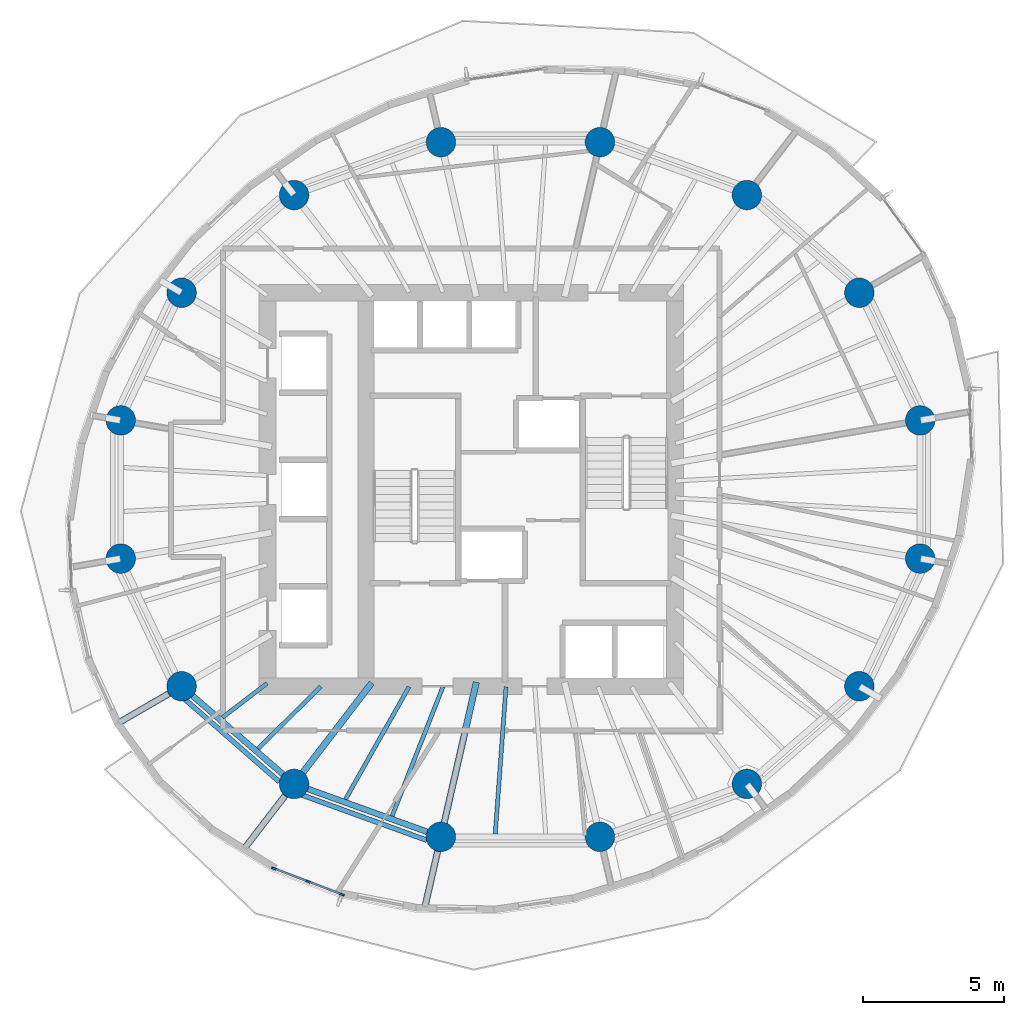
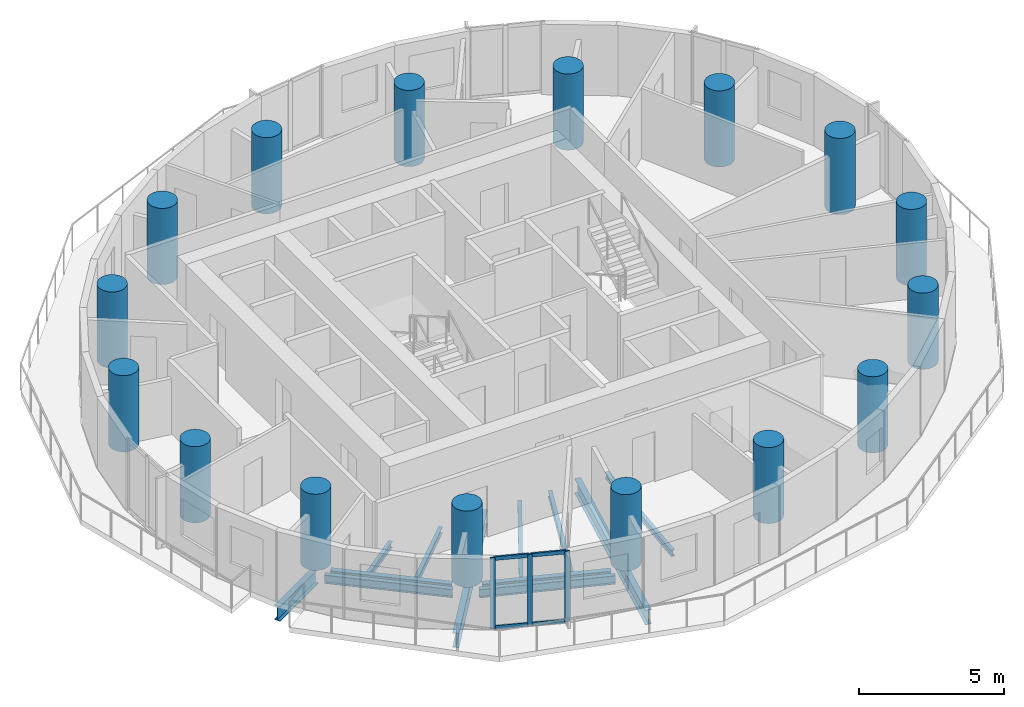
# One storey, part 1 of 14: 16 columns, 14 beams, 7 members, 1 element without a shape of its own.
"""IFC4 building model written with IfcOpenShell, lengths in metres."""

from ifc_helpers import new_model, si_unit, direction, frame, origin, origin_2d, place, context, subcontext, project, spatial, rectangle, circle, i_section, extrude, material, material_profile, profile_set, type_object, element, aggregate, save


model = new_model("IFC4")

# Units and contexts
model_context = context("Model", 3, precision=1e-05, world=origin(), true_north=direction((0.0, 1.0)))
body_context = subcontext(model_context, "Body", "Model", "MODEL_VIEW")
ifc_project = project(units=[si_unit("LENGTHUNIT", "METRE"), si_unit("AREAUNIT", "SQUARE_METRE"), si_unit("VOLUMEUNIT", "CUBIC_METRE"), si_unit("PLANEANGLEUNIT", "RADIAN"), si_unit("MASSUNIT", "GRAM", prefix="KILO")], contexts=[model_context])

# Site, building, storey
site_placement = place(None, origin())
site = spatial("IfcSite", under=ifc_project, at=site_placement, CompositionType="ELEMENT")
building_placement = place(site_placement, origin())
building = spatial("IfcBuilding", under=site, at=building_placement, Name="Veldorim Arch Residences", CompositionType="ELEMENT")
storey_placement = place(building_placement, frame((0.0, 0.0, 126.56005859375)))
storey = spatial("IfcBuildingStorey", under=building, at=storey_placement, Name="L37", CompositionType="ELEMENT", Elevation=126.56005859375)

# Columns
ifc_material_1 = material(Name="Concrete C50/60", Category="concrete")
ifc_material_profile_1 = material_profile(ifc_material_1, circle(Radius=0.52490234375, at=origin_2d()), Name="RC_CIRC_1050")
ifc_profile_set_1 = profile_set([ifc_material_profile_1], Name="Concrete C50/60")
column_type = type_object("IfcColumnType", Name="Structural Column RC_CIRC_1050", PredefinedType="COLUMN", material=ifc_profile_set_1)
for number, where, z_axis, x_axis, name in (
    (1, (46.221435546875, 26.4580078125, 0.0), (0.0, 0.0, 1.0), (1.0, 0.0, 0.0), "L37 TC-Z3-01 perimeter column"),
    (2, (44.056396484375, 31.000244140625, 0.0), (0.0, 0.0, 1.0), (1.0, 0.0, 0.0), "L37 TC-Z3-02 perimeter column"),
    (3, (40.055908203125, 34.4765625, 0.0), (0.0, 0.0, 1.0), (1.0, 0.0, 0.0), "L37 TC-Z3-03 perimeter column"),
    (4, (34.828857421875, 36.35791015625, 0.0), (0.0, 0.0, 1.0), (1.0, 0.0, 0.0), "L37 TC-Z3-04 perimeter column"),
    (5, (29.171142578125, 36.35791015625, 0.0), (0.0, 0.0, 1.0), (1.0, 0.0, 0.0), "L37 TC-Z3-05 perimeter column"),
    (6, (23.944091796875, 34.4765625, 0.0), (0.0, 0.0, 1.0), (1.0, 0.0, 0.0), "L37 TC-Z3-06 perimeter column"),
    (7, (19.943603515625, 31.000244140625, 0.0), (0.0, 0.0, 1.0), (1.0, 0.0, 0.0), "L37 TC-Z3-07 perimeter column"),
    (8, (17.778564453125, 26.4580078125, 0.0), (0.0, 0.0, 1.0), (1.0, 0.0, 0.0), "L37 TC-Z3-08 perimeter column"),
    (9, (17.778564453125, 21.5419921875, 0.0), (0.0, 0.0, 1.0), (1.0, 0.0, 0.0), "L37 TC-Z3-09 perimeter column"),
    (10, (19.943603515625, 16.999755859375, 0.0), (0.0, 0.0, 1.0), (1.0, 0.0, 0.0), "L37 TC-Z3-10 perimeter column"),
    (11, (23.944091796875, 13.5234375, 0.0), (0.0, 0.0, 1.0), (1.0, 0.0, 0.0), "L37 TC-Z3-11 perimeter column"),
    (12, (29.171142578125, 11.64208984375, 0.0), (0.0, 0.0, 1.0), (1.0, 0.0, 0.0), "L37 TC-Z3-12 perimeter column"),
    (13, (34.828857421875, 11.64208984375, 0.0), (0.0, 0.0, 1.0), (1.0, 0.0, 0.0), "L37 TC-Z3-13 perimeter column"),
    (14, (40.055908203125, 13.5234375, 0.0), (0.0, 0.0, 1.0), (1.0, 0.0, 0.0), "L37 TC-Z3-14 perimeter column"),
    (15, (44.056396484375, 16.999755859375, 0.0), (0.0, 0.0, 1.0), (1.0, 0.0, 0.0), "L37 TC-Z3-15 perimeter column"),
    (16, (46.221435546875, 21.5419921875, 0.0), (0.0, 0.0, 1.0), (1.0, 0.0, 0.0), "L37 TC-Z3-16 perimeter column"),
):
    element("IfcColumn", number, at=place(storey_placement, frame(where, z_axis=z_axis, x_axis=x_axis)), inside=storey, type_object=column_type, Name=name, PredefinedType="COLUMN", context=body_context, shape_type="SweptSolid", body=[
        extrude(circle(Radius=0.52490234375, at=origin_2d()), origin(), (0.0, 0.0, 1.0), 3.199951171875),
    ])

# Beams
ifc_material_2 = material(Name="Steel S355", Category="steel")
ifc_material_profile_2 = material_profile(ifc_material_2, i_section(OverallWidth=0.2099609375, OverallDepth=0.53662109375, WebThickness=0.0107421875, FlangeThickness=0.017333984375, at=origin_2d()), Name="UB533x210x101")
ifc_profile_set_2 = profile_set([ifc_material_profile_2], Name="Steel S355")
beam_type_1 = type_object("IfcBeamType", Name="Structural Steel Beam UB533x210x101", PredefinedType="BEAM", material=ifc_profile_set_2)
beam_1_placement = place(storey_placement, frame((20.340087890625, 16.655517578125, -0.508544921875), z_axis=(0.754810789581, -0.655942582802, 0.0), x_axis=(0.655942582802, 0.754810789581, 0.0)))
element("IfcBeam", 17, at=beam_1_placement, inside=storey, type_object=beam_type_1, Name="L37 perimeter ring tie beam 10", PredefinedType="BEAM", context=body_context, shape_type="SweptSolid", body=[
    extrude(i_section(OverallWidth=0.2099609375, OverallDepth=0.53662109375, WebThickness=0.0107421875, FlangeThickness=0.017333984375, at=origin_2d()), origin(), (0.0, 0.0, 1.0), 4.249755859375),
])
beam_2_placement = place(storey_placement, frame((24.438232421875, 13.345703125, -0.508544921875), z_axis=(0.940899155006, -0.338686846673, 0.0), x_axis=(0.338686846673, 0.940899155006, 0.0)))
element("IfcBeam", 18, at=beam_2_placement, inside=storey, type_object=beam_type_1, Name="L37 perimeter ring tie beam 11", PredefinedType="BEAM", context=body_context, shape_type="SweptSolid", body=[
    extrude(i_section(OverallWidth=0.2099609375, OverallDepth=0.53662109375, WebThickness=0.0107421875, FlangeThickness=0.017333984375, at=origin_2d()), origin(), (0.0, 0.0, 1.0), 4.50537109375),
])
ifc_material_3 = material(Name="Steel S355", Category="steel")
ifc_material_profile_3 = material_profile(ifc_material_3, i_section(OverallWidth=0.22900390625, OverallDepth=0.6123046875, WebThickness=0.011962890625, FlangeThickness=0.01953125, at=origin_2d()), Name="UB610x229x125")
ifc_profile_set_3 = profile_set([ifc_material_profile_3], Name="Steel S355")
beam_type_2 = type_object("IfcBeamType", Name="Structural Steel Beam UB610x229x125", PredefinedType="BEAM", material=ifc_profile_set_3)
beam_3_placement = place(storey_placement, frame((19.926513671875, 16.98974609375, -0.546142578125), z_axis=(-0.86480840732, -0.502102000223, 0.0), x_axis=(0.502102000223, -0.86480840732, 0.0)))
element("IfcBeam", 19, at=beam_3_placement, inside=storey, type_object=beam_type_2, Name="L37 radial edge cantilever girder 10", PredefinedType="BEAM", context=body_context, shape_type="SweptSolid", body=[
    extrude(i_section(OverallWidth=0.22900390625, OverallDepth=0.6123046875, WebThickness=0.011962890625, FlangeThickness=0.01953125, at=origin_2d()), origin(), (0.0, 0.0, 1.0), 2.635986328125),
])
beam_4_placement = place(storey_placement, frame((26.708740234375, 17.118896484375, -0.546142578125), z_axis=(-0.609559199361, -0.792740551804, 0.0), x_axis=(0.792740551804, -0.609559199361, 0.0)))
element("IfcBeam", 20, at=beam_4_placement, inside=storey, type_object=beam_type_2, Name="L37 radial floor girder 11", PredefinedType="BEAM", context=body_context, shape_type="SweptSolid", body=[
    extrude(i_section(OverallWidth=0.22900390625, OverallDepth=0.6123046875, WebThickness=0.011962890625, FlangeThickness=0.01953125, at=origin_2d()), origin(), (0.0, 0.0, 1.0), 4.515380859375),
])
beam_5_placement = place(storey_placement, frame((23.931884765625, 13.507568359375, -0.546142578125), z_axis=(-0.609529534144, -0.792763361291, 0.0), x_axis=(0.792763361291, -0.609529534144, 0.0)))
element("IfcBeam", 21, at=beam_5_placement, inside=storey, type_object=beam_type_2, Name="L37 radial edge cantilever girder 11", PredefinedType="BEAM", context=body_context, shape_type="SweptSolid", body=[
    extrude(i_section(OverallWidth=0.22900390625, OverallDepth=0.6123046875, WebThickness=0.011962890625, FlangeThickness=0.01953125, at=origin_2d()), origin(), (0.0, 0.0, 1.0), 2.929931640625),
])
beam_6_placement = place(storey_placement, frame((30.43115234375, 17.146240234375, -0.546142578125), z_axis=(-0.223119342184, -0.974791136164, 0.0), x_axis=(0.974791136164, -0.223119342184, 0.0)))
element("IfcBeam", 22, at=beam_6_placement, inside=storey, type_object=beam_type_2, Name="L37 radial floor girder 12", PredefinedType="BEAM", context=body_context, shape_type="SweptSolid", body=[
    extrude(i_section(OverallWidth=0.22900390625, OverallDepth=0.6123046875, WebThickness=0.011962890625, FlangeThickness=0.01953125, at=origin_2d()), origin(), (0.0, 0.0, 1.0), 5.62646484375),
])
beam_7_placement = place(storey_placement, frame((29.166748046875, 11.62255859375, -0.546142578125), z_axis=(-0.223192924024, -0.974774291139, 0.0), x_axis=(0.974774291139, -0.223192924024, 0.0)))
element("IfcBeam", 23, at=beam_7_placement, inside=storey, type_object=beam_type_2, Name="L37 radial edge cantilever girder 12", PredefinedType="BEAM", context=body_context, shape_type="SweptSolid", body=[
    extrude(i_section(OverallWidth=0.22900390625, OverallDepth=0.6123046875, WebThickness=0.011962890625, FlangeThickness=0.01953125, at=origin_2d()), origin(), (0.0, 0.0, 1.0), 2.611083984375),
])
ifc_material_4 = material(Name="Steel S355", Category="steel")
ifc_material_profile_4 = material_profile(ifc_material_4, i_section(OverallWidth=0.146484375, OverallDepth=0.256103515625, WebThickness=0.00634765625, FlangeThickness=0.010986328125, at=origin_2d()), Name="UB254x146x37")
ifc_profile_set_4 = profile_set([ifc_material_profile_4], Name="Steel S355")
beam_type_3 = type_object("IfcBeamType", Name="Structural Steel Joist UB254x146x37", PredefinedType="JOIST", material=ifc_profile_set_4)
beam_8_placement = place(storey_placement, frame((22.984130859375, 17.10302734375, -0.3681640625), z_axis=(-0.794312925337, -0.607508828448, 0.0), x_axis=(0.607508828448, -0.794312925337, 0.0)))
element("IfcBeam", 24, at=beam_8_placement, inside=storey, type_object=beam_type_3, Name="L37 secondary radial floor joist 10-1", PredefinedType="JOIST", context=body_context, shape_type="SweptSolid", body=[
    extrude(i_section(OverallWidth=0.146484375, OverallDepth=0.256103515625, WebThickness=0.00634765625, FlangeThickness=0.010986328125, at=origin_2d()), origin(), (0.0, 0.0, 1.0), 2.006103515625),
])
beam_9_placement = place(storey_placement, frame((24.894287109375, 16.986083984375, -0.3681640625), z_axis=(-0.711683379532, -0.702500368183, 0.0), x_axis=(0.702500368183, -0.711683379532, 0.0)))
element("IfcBeam", 25, at=beam_9_placement, inside=storey, type_object=beam_type_3, Name="L37 secondary radial floor joist 10-2", PredefinedType="JOIST", context=body_context, shape_type="SweptSolid", body=[
    extrude(i_section(OverallWidth=0.146484375, OverallDepth=0.256103515625, WebThickness=0.00634765625, FlangeThickness=0.010986328125, at=origin_2d()), origin(), (0.0, 0.0, 1.0), 3.13720703125),
])
beam_10_placement = place(storey_placement, frame((28.03662109375, 16.982666015625, -0.3681640625), z_axis=(-0.491815801586, -0.870699269157, 0.0), x_axis=(0.870699269157, -0.491815801586, 0.0)))
element("IfcBeam", 26, at=beam_10_placement, inside=storey, type_object=beam_type_3, Name="L37 secondary radial floor joist 11-1", PredefinedType="JOIST", context=body_context, shape_type="SweptSolid", body=[
    extrude(i_section(OverallWidth=0.146484375, OverallDepth=0.256103515625, WebThickness=0.00634765625, FlangeThickness=0.010986328125, at=origin_2d()), origin(), (0.0, 0.0, 1.0), 4.59814453125),
])
beam_11_placement = place(storey_placement, frame((29.2412109375, 16.9814453125, -0.3681640625), z_axis=(-0.365777738491, -0.930702232739, 0.0), x_axis=(0.930702232739, -0.365777738491, 0.0)))
element("IfcBeam", 27, at=beam_11_placement, inside=storey, type_object=beam_type_3, Name="L37 secondary radial floor joist 11-2", PredefinedType="JOIST", context=body_context, shape_type="SweptSolid", body=[
    extrude(i_section(OverallWidth=0.146484375, OverallDepth=0.256103515625, WebThickness=0.00634765625, FlangeThickness=0.010986328125, at=origin_2d()), origin(), (0.0, 0.0, 1.0), 4.9404296875),
])
beam_12_placement = place(storey_placement, frame((31.48583984375, 16.97998046875, -0.3681640625), z_axis=(-0.073060364166, -0.997327520521, 0.0), x_axis=(0.997327520521, -0.073060364166, 0.0)))
element("IfcBeam", 28, at=beam_12_placement, inside=storey, type_object=beam_type_3, Name="L37 secondary radial floor joist 12-1", PredefinedType="JOIST", context=body_context, shape_type="SweptSolid", body=[
    extrude(i_section(OverallWidth=0.146484375, OverallDepth=0.256103515625, WebThickness=0.00634765625, FlangeThickness=0.010986328125, at=origin_2d()), origin(), (0.0, 0.0, 1.0), 5.242919921875),
])
ifc_material_5 = material(Name="Steel S355", Category="steel")
ifc_material_profile_5 = material_profile(ifc_material_5, i_section(OverallWidth=0.172119140625, OverallDepth=0.35791015625, WebThickness=0.008056640625, FlangeThickness=0.012939453125, at=origin_2d()), Name="UB356x171x57")
ifc_profile_set_5 = profile_set([ifc_material_profile_5], Name="Steel S355")
beam_type_4 = type_object("IfcBeamType", Name="Structural Steel Spandrel UB356x171x57", PredefinedType="SPANDREL", material=ifc_profile_set_5)
beam_13_placement = place(storey_placement, frame((20.0419921875, 16.55078125, -0.43896484375), z_axis=(0.753014748982, -0.658003638148, 0.0), x_axis=(0.658003638148, 0.753014748982, 0.0)))
element("IfcBeam", 29, at=beam_13_placement, inside=storey, type_object=beam_type_4, Name="L37 perimeter chord spandrel beam 10", PredefinedType="SPANDREL", context=body_context, shape_type="SweptSolid", body=[
    extrude(i_section(OverallWidth=0.172119140625, OverallDepth=0.35791015625, WebThickness=0.008056640625, FlangeThickness=0.012939453125, at=origin_2d()), origin(), (0.0, 0.0, 1.0), 4.486572265625),
])
beam_14_placement = place(storey_placement, frame((24.20263671875, 13.13720703125, -0.43896484375), z_axis=(0.940212553113, -0.340588248429, 0.0), x_axis=(0.340588248429, 0.940212553113, 0.0)))
element("IfcBeam", 30, at=beam_14_placement, inside=storey, type_object=beam_type_4, Name="L37 perimeter chord spandrel beam 11", PredefinedType="SPANDREL", context=body_context, shape_type="SweptSolid", body=[
    extrude(i_section(OverallWidth=0.172119140625, OverallDepth=0.35791015625, WebThickness=0.008056640625, FlangeThickness=0.012939453125, at=origin_2d()), origin(), (0.0, 0.0, 1.0), 4.75390625),
])

# Curtain wall, members
ifc_material_6 = material(Name="Aluminium", Category="aluminium")
curtain_wall_type = type_object("IfcCurtainWallType", Name="Zone 3 High-Wind Unitised Curtain Wall", PredefinedType="NOTDEFINED", material=ifc_material_6)
curtain_wall_placement = place(storey_placement, origin())
curtain_wall = element("IfcCurtainWall", 31, at=curtain_wall_placement, inside=storey, type_object=curtain_wall_type, Name="L37 unitised curtain wall bay 22", PredefinedType="NOTDEFINED")
ifc_material_7 = material(Name="Aluminium", Category="aluminium")
ifc_material_profile_6 = material_profile(ifc_material_7, rectangle(XDim=0.070068359375, YDim=0.179931640625, at=origin_2d()), Name="ALU_MUL_70x180")
ifc_profile_set_6 = profile_set([ifc_material_profile_6], Name="Aluminium")
member_type_1 = type_object("IfcMemberType", Name="Zone 3 High-Wind Unitised Curtain Wall Mullion 70x180", PredefinedType="MULLION", material=ifc_profile_set_6)
member_1_placement = place(storey_placement, frame((25.647705078125, 9.590576171875, 0.0), z_axis=(0.0, 0.0, 1.0), x_axis=(-0.356987085335, -0.934109319568, 0.0)))
member_1 = element("IfcMember", 32, at=member_1_placement, type_object=member_type_1, Name="CW-Z3 mullion 1", PredefinedType="MULLION", context=body_context, shape_type="SweptSolid", body=[
    extrude(rectangle(XDim=0.070068359375, YDim=0.179931640625, at=origin_2d()), origin(), (0.0, 0.0, 1.0), 2.9599609375),
])
member_2_placement = place(storey_placement, frame((24.43701171875, 10.05322265625, 0.0), z_axis=(0.0, 0.0, 1.0), x_axis=(-0.356987085335, -0.934109319568, 0.0)))
member_2 = element("IfcMember", 33, at=member_2_placement, type_object=member_type_1, Name="CW-Z3 mullion 2", PredefinedType="MULLION", context=body_context, shape_type="SweptSolid", body=[
    extrude(rectangle(XDim=0.070068359375, YDim=0.179931640625, at=origin_2d()), origin(), (0.0, 0.0, 1.0), 2.9599609375),
])
member_3_placement = place(storey_placement, frame((23.2265625, 10.515869140625, 0.0), z_axis=(0.0, 0.0, 1.0), x_axis=(-0.356987085335, -0.934109319568, 0.0)))
member_3 = element("IfcMember", 34, at=member_3_placement, type_object=member_type_1, Name="CW-Z3 mullion 3", PredefinedType="MULLION", context=body_context, shape_type="SweptSolid", body=[
    extrude(rectangle(XDim=0.070068359375, YDim=0.179931640625, at=origin_2d()), origin(), (0.0, 0.0, 1.0), 2.9599609375),
])
ifc_material_8 = material(Name="Aluminium", Category="aluminium")
ifc_material_profile_7 = material_profile(ifc_material_8, rectangle(XDim=0.070068359375, YDim=0.155029296875, at=origin_2d()), Name="ALU_TRN_70x155")
ifc_profile_set_7 = profile_set([ifc_material_profile_7], Name="Aluminium")
member_type_2 = type_object("IfcMemberType", Name="Zone 3 High-Wind Unitised Curtain Wall Transom 70x155", PredefinedType="USERDEFINED", material=ifc_profile_set_7)
member_4_placement = place(storey_placement, frame((25.614990234375, 9.60302734375, 0.034912109375), z_axis=(-0.934092855841, 0.357030162124, 0.0), x_axis=(-0.357030162124, -0.934092855841, 0.0)))
member_4 = element("IfcMember", 35, at=member_4_placement, type_object=member_type_2, Name="CW-Z3 transom 1.1", ObjectType="TRANSOM", PredefinedType="USERDEFINED", context=body_context, shape_type="SweptSolid", body=[
    extrude(rectangle(XDim=0.070068359375, YDim=0.155029296875, at=origin_2d()), origin(), (0.0, 0.0, 1.0), 1.22607421875),
])
member_5_placement = place(storey_placement, frame((25.614990234375, 9.60302734375, 2.925048828125), z_axis=(-0.934092855841, 0.357030162124, 0.0), x_axis=(-0.357030162124, -0.934092855841, 0.0)))
member_5 = element("IfcMember", 36, at=member_5_placement, type_object=member_type_2, Name="CW-Z3 transom 1.2", ObjectType="TRANSOM", PredefinedType="USERDEFINED", context=body_context, shape_type="SweptSolid", body=[
    extrude(rectangle(XDim=0.070068359375, YDim=0.155029296875, at=origin_2d()), origin(), (0.0, 0.0, 1.0), 1.22607421875),
])
member_6_placement = place(storey_placement, frame((24.404296875, 10.065673828125, 0.034912109375), z_axis=(-0.934067466256, 0.357096581449, 0.0), x_axis=(-0.357096581449, -0.934067466256, 0.0)))
member_6 = element("IfcMember", 37, at=member_6_placement, type_object=member_type_2, Name="CW-Z3 transom 2.1", ObjectType="TRANSOM", PredefinedType="USERDEFINED", context=body_context, shape_type="SweptSolid", body=[
    extrude(rectangle(XDim=0.070068359375, YDim=0.155029296875, at=origin_2d()), origin(), (0.0, 0.0, 1.0), 1.225830078125),
])
member_7_placement = place(storey_placement, frame((24.404296875, 10.065673828125, 2.925048828125), z_axis=(-0.934067466256, 0.357096581449, 0.0), x_axis=(-0.357096581449, -0.934067466256, 0.0)))
member_7 = element("IfcMember", 38, at=member_7_placement, type_object=member_type_2, Name="CW-Z3 transom 2.2", ObjectType="TRANSOM", PredefinedType="USERDEFINED", context=body_context, shape_type="SweptSolid", body=[
    extrude(rectangle(XDim=0.070068359375, YDim=0.155029296875, at=origin_2d()), origin(), (0.0, 0.0, 1.0), 1.225830078125),
])
aggregate(curtain_wall, [member_1, member_2, member_3, member_4, member_5, member_6, member_7])

save(model, "model.ifc")
